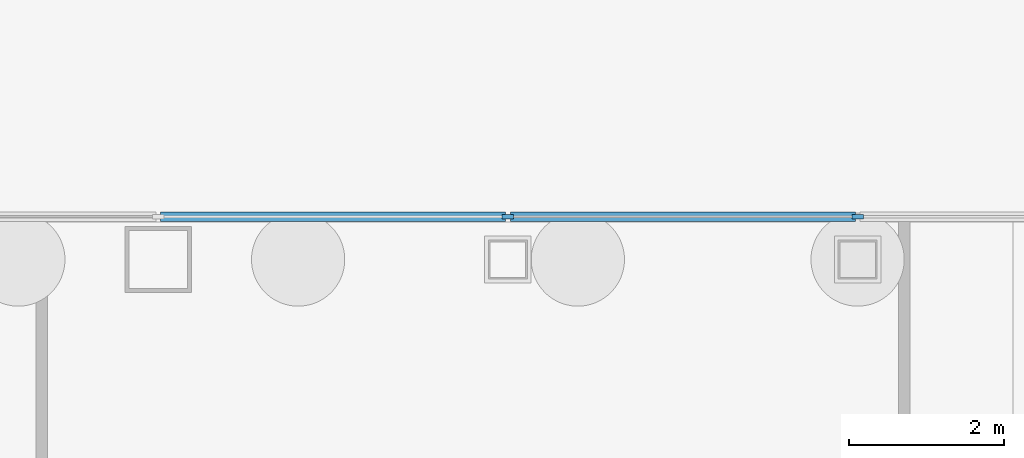
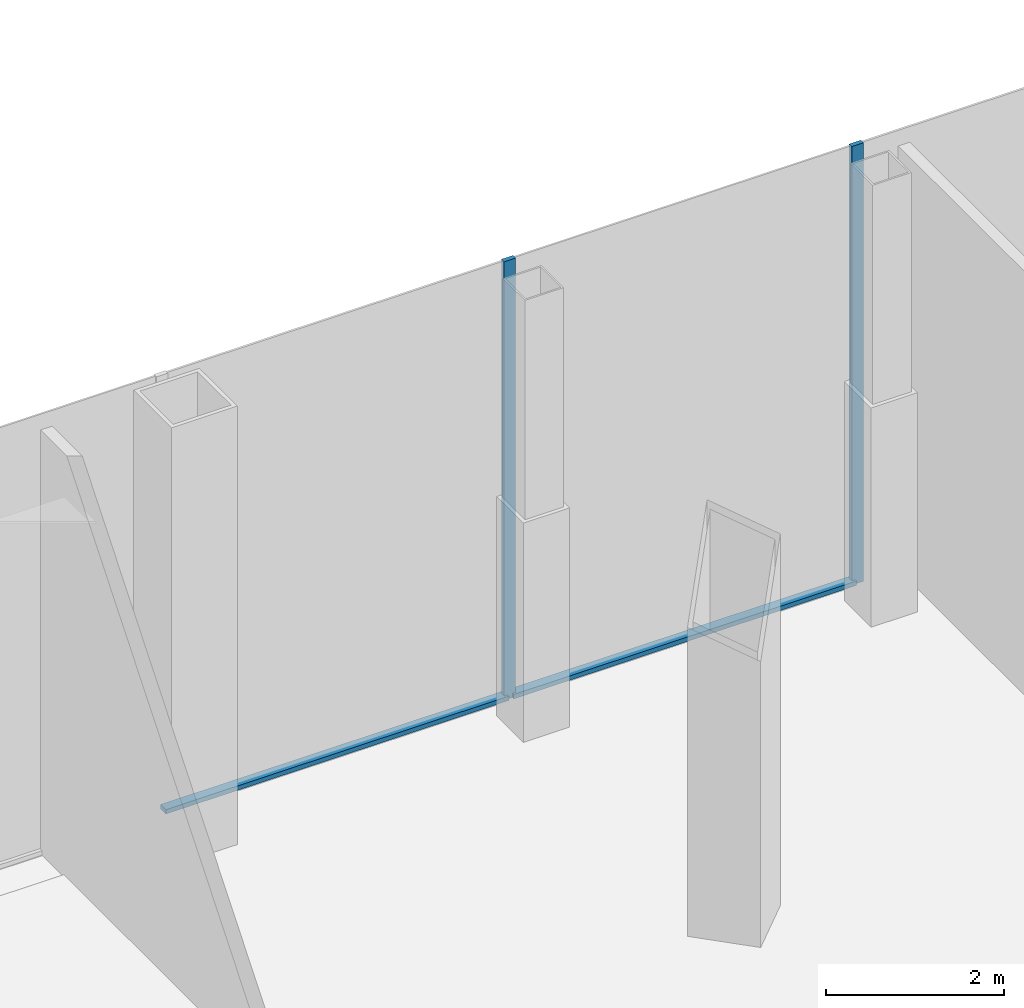
# One storey, part 13 of 24: 4 members, 1 element without a shape of its own.
"""IFC4 building model written with IfcOpenShell, lengths in metres."""

from ifc_helpers import new_model, si_unit, direction, frame, origin, origin_2d, place, context, subcontext, project, spatial, rectangle, extrude, material, material_profile, profile_set, type_object, element, aggregate, save


model = new_model("IFC4")

# Units and contexts
model_context = context("Model", 3, precision=1e-05, world=origin(), true_north=direction((0.0, 1.0)))
body_context = subcontext(model_context, "Body", "Model", "MODEL_VIEW")
ifc_project = project(units=[si_unit("LENGTHUNIT", "METRE"), si_unit("AREAUNIT", "SQUARE_METRE"), si_unit("VOLUMEUNIT", "CUBIC_METRE"), si_unit("PLANEANGLEUNIT", "RADIAN"), si_unit("MASSUNIT", "GRAM", prefix="KILO")], contexts=[model_context])

# Site, building, storey
site_placement = place(None, origin())
site = spatial("IfcSite", under=ifc_project, at=site_placement, CompositionType="ELEMENT")
building_placement = place(site_placement, origin())
building = spatial("IfcBuilding", under=site, at=building_placement, Name="Corais Broadcast Tower", CompositionType="ELEMENT")
storey_placement = place(building_placement, origin())
storey = spatial("IfcBuildingStorey", under=building, at=storey_placement, Name="L00", CompositionType="ELEMENT", Elevation=0.0)

# Curtain wall, members
ifc_material_1 = material(Name="Aluminium and glass", Category="aluminium")
curtain_wall_type = type_object("IfcCurtainWallType", Name="Storefront curtain wall CW5", PredefinedType="NOTDEFINED", material=ifc_material_1)
curtain_wall_placement = place(storey_placement, origin())
curtain_wall = element("IfcCurtainWall", 1, at=curtain_wall_placement, inside=storey, type_object=curtain_wall_type, Name="CW5 curtain wall L00 4", PredefinedType="NOTDEFINED")
ifc_material_2 = material(Name="Aluminium 6063-T6", Category="aluminium")
ifc_material_profile_1 = material_profile(ifc_material_2, rectangle(XDim=0.06005859375, YDim=0.14990234375, at=origin_2d()), Name="Mullion CW5 60x150")
ifc_profile_set_1 = profile_set([ifc_material_profile_1], Name="Aluminium 6063-T6")
member_type_1 = type_object("IfcMemberType", Name="Mullion CW5 60x150", PredefinedType="MULLION", material=ifc_profile_set_1)
member_1_placement = place(storey_placement, frame((49.5, 54.550048828125, 0.0), z_axis=(0.0, 0.0, 1.0), x_axis=(0.0, 1.0, 0.0)))
member_1 = element("IfcMember", 2, at=member_1_placement, type_object=member_type_1, Name="CW5 mullion 5", PredefinedType="MULLION", context=body_context, shape_type="SweptSolid", body=[
    extrude(rectangle(XDim=0.06005859375, YDim=0.14990234375, at=origin_2d()), origin(), (0.0, 0.0, 1.0), 6.0),
])
member_2_placement = place(storey_placement, frame((54.0, 54.550048828125, 0.0), z_axis=(0.0, 0.0, 1.0), x_axis=(0.0, 1.0, 0.0)))
member_2 = element("IfcMember", 3, at=member_2_placement, type_object=member_type_1, Name="CW5 mullion 6", PredefinedType="MULLION", context=body_context, shape_type="SweptSolid", body=[
    extrude(rectangle(XDim=0.06005859375, YDim=0.14990234375, at=origin_2d()), origin(), (0.0, 0.0, 1.0), 6.0),
])
ifc_material_3 = material(Name="Aluminium 6063-T6", Category="aluminium")
ifc_material_profile_2 = material_profile(ifc_material_3, rectangle(XDim=0.1201171875, YDim=0.06005859375, at=origin_2d()), Name="Transom CW5 60x120")
ifc_profile_set_2 = profile_set([ifc_material_profile_2], Name="Aluminium 6063-T6")
member_type_2 = type_object("IfcMemberType", Name="Transom CW5 60x120", PredefinedType="USERDEFINED", material=ifc_profile_set_2)
member_3_placement = place(storey_placement, frame((45.030029296875, 54.550048828125, 0.030029296875), z_axis=(1.0, 0.0, 0.0), x_axis=(0.0, 1.0, 0.0)))
member_3 = element("IfcMember", 4, at=member_3_placement, type_object=member_type_2, Name="CW5 transom 4.1", ObjectType="TRANSOM", PredefinedType="USERDEFINED", context=body_context, shape_type="SweptSolid", body=[
    extrude(rectangle(XDim=0.1201171875, YDim=0.06005859375, at=origin_2d()), origin(), (0.0, 0.0, 1.0), 4.43994140625),
])
member_4_placement = place(storey_placement, frame((49.530029296875, 54.550048828125, 0.030029296875), z_axis=(1.0, 0.0, 0.0), x_axis=(0.0, 1.0, 0.0)))
member_4 = element("IfcMember", 5, at=member_4_placement, type_object=member_type_2, Name="CW5 transom 5.1", ObjectType="TRANSOM", PredefinedType="USERDEFINED", context=body_context, shape_type="SweptSolid", body=[
    extrude(rectangle(XDim=0.1201171875, YDim=0.06005859375, at=origin_2d()), origin(), (0.0, 0.0, 1.0), 4.43994140625),
])
aggregate(curtain_wall, [member_1, member_2, member_3, member_4])

save(model, "model.ifc")
